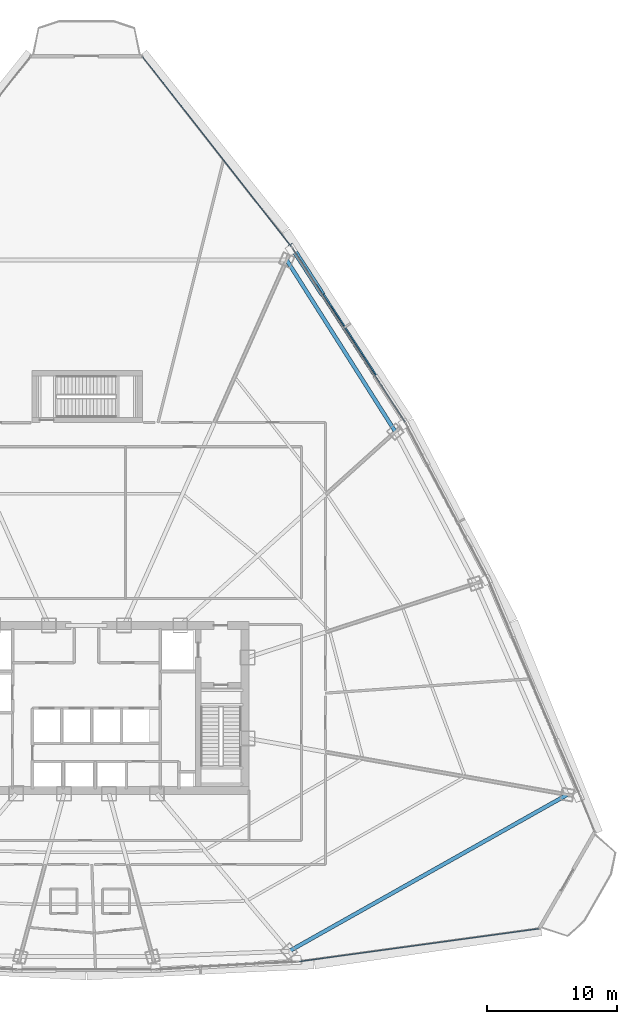
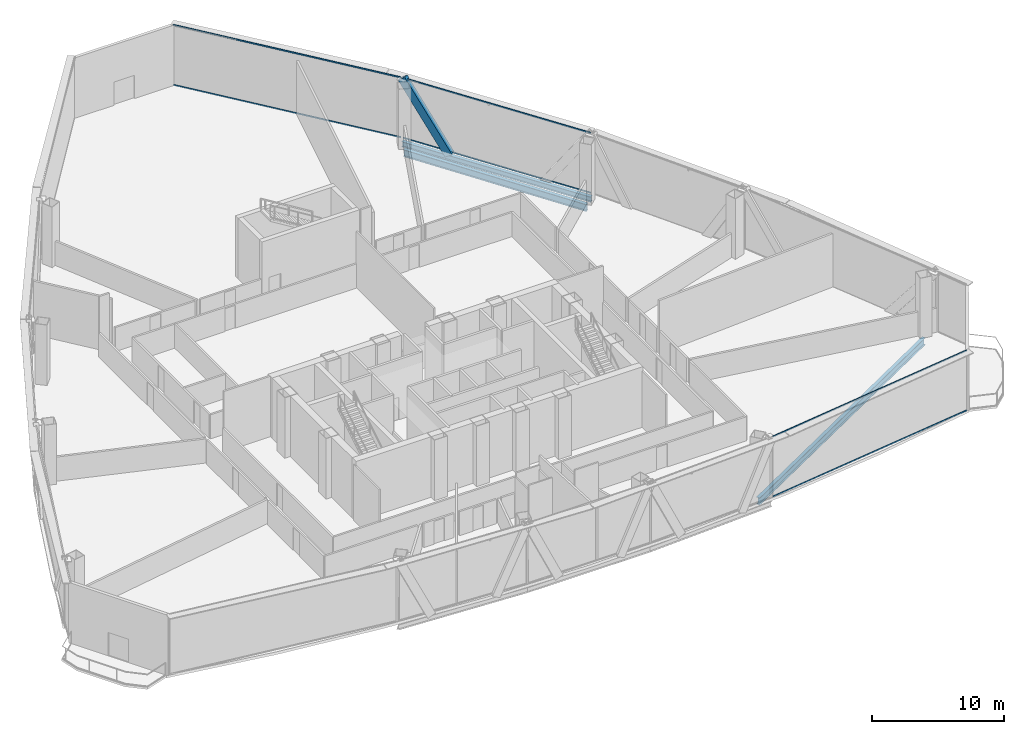
# One storey, part 23 of 40: 7 members, 3 beams, 3 elements without a shape of their own.
"""IFC4 building model written with IfcOpenShell, lengths in metres."""

import ifcopenshell
import ifcopenshell.guid

model = None  # the IFC model being written
_history = None  # IfcOwnerHistory: only IFC2X3 demands one
_inside = {}  # id of a spatial element -> (the spatial element, [elements in it])
_under = {}  # id of a project, library or spatial element -> (it, [spatial elements below it])
_declared = {}  # id of a project -> (the project, [libraries it declares])
_typed = {}  # id of a type object -> (the type object, [elements of that type])
_made_of = {}  # id of a material, layer set ... -> (it, [elements and type objects made of it])


def new_model(schema):
    """Start an empty IFC model of exactly this schema.

    Asked for "IFC4X3", IfcOpenShell would pick the latest addendum, in which some entities
    have other attributes; the version numbers below select the first issue.
    IFC2X3 requires an IfcOwnerHistory on every rooted entity: one is made here for all.
    """
    global model, _history
    if schema == "IFC4X3":
        model = ifcopenshell.file(schema_version=(4, 3, 0, 0))
    else:
        model = ifcopenshell.file(schema=schema)
    _inside.clear()
    _under.clear()
    _declared.clear()
    _typed.clear()
    _made_of.clear()
    _history = None
    if model.schema == "IFC2X3":
        org = make("IfcOrganization", Name="unknown")
        user = make(
            "IfcPersonAndOrganization",
            ThePerson=make("IfcPerson", FamilyName="unknown"),
            TheOrganization=org,
        )
        app = make(
            "IfcApplication",
            ApplicationDeveloper=org,
            Version="unknown",
            ApplicationFullName="unknown",
            ApplicationIdentifier="unknown",
        )
        _history = make(
            "IfcOwnerHistory",
            OwningUser=user,
            OwningApplication=app,
            ChangeAction="ADDED",
            CreationDate=0,
        )
    return model


def make(cls, **values):
    """One entity of the class cls with the attributes given. An attribute that is None is left unset."""
    return model.create_entity(
        cls, **{name: value for name, value in values.items() if value is not None}
    )


def rooted(cls, **values):
    """An entity with a GlobalId (a new one), such as an element, a storey or a relation."""
    return make(cls, GlobalId=ifcopenshell.guid.new(), OwnerHistory=_history, **values)


def si_unit(unit_type, name, prefix=None):
    """IfcSIUnit, for example si_unit("LENGTHUNIT", "METRE", prefix="MILLI")."""
    return make("IfcSIUnit", UnitType=unit_type, Prefix=prefix, Name=name)


def assignment(units):
    """IfcUnitAssignment: the units of a project."""
    return None if units is None else make("IfcUnitAssignment", Units=units)


def point(xyz):
    """IfcCartesianPoint."""
    return None if xyz is None else make("IfcCartesianPoint", Coordinates=xyz)


def direction(xyz):
    """IfcDirection."""
    return None if xyz is None else make("IfcDirection", DirectionRatios=xyz)


def frame(location, z_axis=None, x_axis=None):
    """IfcAxis2Placement3D, a coordinate frame: its origin and axes. An axis left out is left unset."""
    return make(
        "IfcAxis2Placement3D",
        Location=point(location),
        Axis=direction(z_axis),
        RefDirection=direction(x_axis),
    )


def frame_2d(location, x_axis=None):
    """IfcAxis2Placement2D, a coordinate frame in the plane: its origin and x axis."""
    return make(
        "IfcAxis2Placement2D", Location=point(location), RefDirection=direction(x_axis)
    )


def origin():
    """The frame at (0, 0, 0) with its axes left unset."""
    return frame((0.0, 0.0, 0.0))


def origin_2d():
    """The frame at (0, 0) in the plane with its x axis left unset."""
    return frame_2d((0.0, 0.0))


def place(relative_to, where):
    """IfcLocalPlacement: puts the frame where relative to a parent placement (None: the world)."""
    return make(
        "IfcLocalPlacement", PlacementRelTo=relative_to, RelativePlacement=where
    )


def context(
    kind, dimensions, precision=None, world=None, true_north=None, identifier=None
):
    """IfcGeometricRepresentationContext, for example the 3D "Model" context."""
    return make(
        "IfcGeometricRepresentationContext",
        ContextIdentifier=identifier,
        ContextType=kind,
        CoordinateSpaceDimension=dimensions,
        Precision=precision,
        WorldCoordinateSystem=world,
        TrueNorth=true_north,
    )


def subcontext(parent, identifier, kind, view, scale=None):
    """IfcGeometricRepresentationSubContext, for example "Body" below "Model"."""
    return make(
        "IfcGeometricRepresentationSubContext",
        ContextIdentifier=identifier,
        ContextType=kind,
        ParentContext=parent,
        TargetScale=scale,
        TargetView=view,
    )


def project(units=None, contexts=None):
    """IfcProject with its units and contexts."""
    return rooted(
        "IfcProject",
        Name="project",
        RepresentationContexts=contexts,
        UnitsInContext=assignment(units),
    )


def spatial(cls, under=None, at=None, **own):
    """A site, building, storey or space (cls), placed at a placement, below another one or the project."""
    s = rooted(cls, ObjectPlacement=at, **own)
    if under is not None:
        _under.setdefault(under.id(), (under, []))[1].append(s)
    return s


def profile(cls, at=None, kind="AREA", **sizes):
    """A parametric profile (cls). Its sizes go by their IFC names, for example OverallWidth=200.0."""
    return make(cls, ProfileType=kind, Position=at, **sizes)


def hollow_rectangle(**sizes):
    """IfcRectangleHollowProfileDef."""
    return profile("IfcRectangleHollowProfileDef", **sizes)


def i_section(**sizes):
    """IfcIShapeProfileDef."""
    return profile("IfcIShapeProfileDef", **sizes)


def extrude(swept, where, along, depth):
    """IfcExtrudedAreaSolid: the profile swept, set in the frame where, extruded along a direction by depth."""
    return make(
        "IfcExtrudedAreaSolid",
        SweptArea=swept,
        Position=where,
        ExtrudedDirection=direction(along),
        Depth=depth,
    )


def shape(context_of_items, identifier, shape_type, items):
    """IfcShapeRepresentation: the items that make up one representation, for example the "Body"."""
    return make(
        "IfcShapeRepresentation",
        ContextOfItems=context_of_items,
        RepresentationIdentifier=identifier,
        RepresentationType=shape_type,
        Items=items,
    )


def source(mapping_origin, context_of_items, identifier, shape_type, items):
    """IfcRepresentationMap: a shape defined once, which mapped items show again and again."""
    return make(
        "IfcRepresentationMap",
        MappingOrigin=mapping_origin,
        MappedRepresentation=shape(context_of_items, identifier, shape_type, items),
    )


def transform(
    local_origin,
    x_axis=None,
    y_axis=None,
    z_axis=None,
    scale=None,
    scale2=None,
    scale3=None,
    uniform=True,
):
    """IfcCartesianTransformationOperator3D, or its non-uniform kind. x_axis, y_axis, z_axis: its Axis1, 2, 3."""
    if uniform:
        return make(
            "IfcCartesianTransformationOperator3D",
            Axis1=direction(x_axis),
            Axis2=direction(y_axis),
            LocalOrigin=point(local_origin),
            Scale=scale,
            Axis3=direction(z_axis),
        )
    return make(
        "IfcCartesianTransformationOperator3DnonUniform",
        Axis1=direction(x_axis),
        Axis2=direction(y_axis),
        LocalOrigin=point(local_origin),
        Scale=scale,
        Axis3=direction(z_axis),
        Scale2=scale2,
        Scale3=scale3,
    )


def mapped(mapping_source, mapping_target):
    """IfcMappedItem: shows the shape of a source again, moved by a transform."""
    return make(
        "IfcMappedItem", MappingSource=mapping_source, MappingTarget=mapping_target
    )


def material(Name=None, Category=None):
    """IfcMaterial."""
    return make("IfcMaterial", Name=Name, Category=Category)


def layer(
    of_material, thickness, ventilated=None, Name=None, Category=None, Priority=None
):
    """IfcMaterialLayer: one layer of a wall or slab, of a material (None: an air gap)."""
    return make(
        "IfcMaterialLayer",
        Material=of_material,
        LayerThickness=thickness,
        IsVentilated=ventilated,
        Name=Name,
        Category=Category,
        Priority=Priority,
    )


def layer_set(layers, Name=None):
    """IfcMaterialLayerSet."""
    return make("IfcMaterialLayerSet", MaterialLayers=layers, LayerSetName=Name)


def material_profile(
    of_material, cross_section, Name=None, Category=None, Priority=None
):
    """IfcMaterialProfile: a cross section and its material."""
    return make(
        "IfcMaterialProfile",
        Name=Name,
        Material=of_material,
        Profile=cross_section,
        Priority=Priority,
        Category=Category,
    )


def profile_set(profiles, Name=None, composite=None):
    """IfcMaterialProfileSet."""
    return make(
        "IfcMaterialProfileSet",
        Name=Name,
        MaterialProfiles=profiles,
        CompositeProfile=composite,
    )


def made_of(thing, what):
    """Note that an element or type object is made of a material, layer set ...; save() writes the relation."""
    if what is not None:
        _made_of.setdefault(what.id(), (what, []))[1].append(thing)
    return thing


def type_object(cls, material=None, **own):
    """A type object (cls), such as IfcWallType, which elements share."""
    return made_of(rooted(cls, **own), material)


def element(
    cls,
    number,
    at=None,
    inside=None,
    cuts=None,
    type_object=None,
    material=None,
    context=None,
    identifier="Body",
    shape_type=None,
    held_by="IfcProductDefinitionShape",
    body=None,
    shapes=None,
    **own,
):
    """One element of the class cls, such as IfcWall. Its Tag is "e" and its number.

    at: its placement. inside: the storey or other place that contains it. cuts: it is an
    opening in that element (IfcRelVoidsElement). A single representation is given by context,
    identifier, shape_type and body (its items); several are given by shapes. held_by: the class
    of the entity that holds the representations. save() writes the other relations.
    """
    e = rooted(cls, Tag="e%d" % number, ObjectPlacement=at, **own)
    if body is not None:
        shapes = [shape(context, identifier, shape_type, body)]
    if shapes is not None:
        e.Representation = make(held_by, Representations=shapes)
    if inside is not None:
        _inside.setdefault(inside.id(), (inside, []))[1].append(e)
    if cuts is not None:
        rooted(
            "IfcRelVoidsElement", RelatingBuildingElement=cuts, RelatedOpeningElement=e
        )
    if type_object is not None:
        _typed.setdefault(type_object.id(), (type_object, []))[1].append(e)
    return made_of(e, material)


def aggregate(whole, parts):
    """IfcRelAggregates: a whole, such as a stair, and the parts it consists of."""
    return rooted("IfcRelAggregates", RelatingObject=whole, RelatedObjects=parts)


def save(model, path):
    """Write the relations noted so far, then the file.

    IfcRelAggregates (storeys below a building ...), IfcRelContainedInSpatialStructure (elements
    in a storey), IfcRelDefinesByType, IfcRelAssociatesMaterial and IfcRelDeclares: one each for
    every whole, place, type object, material and project.
    """
    for whole, parts in _under.values():
        aggregate(whole, parts)
    for where, things in _inside.values():
        rooted(
            "IfcRelContainedInSpatialStructure",
            RelatedElements=things,
            RelatingStructure=where,
        )
    for kind, things in _typed.values():
        rooted("IfcRelDefinesByType", RelatedObjects=things, RelatingType=kind)
    for what, things in _made_of.values():
        rooted("IfcRelAssociatesMaterial", RelatedObjects=things, RelatingMaterial=what)
    for by, libraries in _declared.values():
        rooted("IfcRelDeclares", RelatingContext=by, RelatedDefinitions=libraries)
    model.write(path)


model = new_model("IFC4")

# Units and contexts
model_context = context("Model", 3, precision=1e-05, world=origin(), true_north=direction((0.0, 1.0)))
body_context = subcontext(model_context, "Body", "Model", "MODEL_VIEW")
ifc_project = project(units=[si_unit("LENGTHUNIT", "METRE"), si_unit("AREAUNIT", "SQUARE_METRE"), si_unit("VOLUMEUNIT", "CUBIC_METRE"), si_unit("PLANEANGLEUNIT", "RADIAN"), si_unit("MASSUNIT", "GRAM", prefix="KILO"), si_unit("THERMODYNAMICTEMPERATUREUNIT", "KELVIN"), si_unit("POWERUNIT", "WATT")], contexts=[model_context])

# Site, building, storey
site_placement = place(None, origin())
site = spatial("IfcSite", under=ifc_project, at=site_placement, CompositionType="ELEMENT")
building_placement = place(site_placement, origin())
building = spatial("IfcBuilding", under=site, at=building_placement, Name="Yunzhuo Pagoda Commons", CompositionType="ELEMENT")
storey_placement = place(building_placement, frame((0.0, 0.0, 170.31005859375)))
storey = spatial("IfcBuildingStorey", under=building, at=storey_placement, Name="L43", CompositionType="ELEMENT", Elevation=170.31005859375)

# Beams
ifc_material_1 = material(Name="Structural steel Q355B", Category="steel")
ifc_material_profile_1 = material_profile(ifc_material_1, i_section(OverallWidth=0.300048828125, OverallDepth=0.64990234375, WebThickness=0.012939453125, FlangeThickness=0.02197265625, at=origin_2d()), Name="Structural steel Q355B")
ifc_profile_set_1 = profile_set([ifc_material_profile_1], Name="Structural steel Q355B")
beam_type_1 = type_object("IfcBeamType", Name="B-RG2 Beam HN 650x300x13x22", PredefinedType="BEAM", material=ifc_profile_set_1)
shared_shape_1 = source(origin(), body_context, "Body", "SweptSolid", [
    extrude(i_section(OverallWidth=0.300048828125, OverallDepth=0.64990234375, WebThickness=0.012939453125, FlangeThickness=0.02197265625, at=origin_2d()), origin(), (0.0, 0.0, 1.0), 24.56982421875),
])
beam_1_placement = place(storey_placement, frame((63.585205078125, 15.126220703125, -0.5849609375), z_axis=(0.871469103633, 0.490450406681, 0.0), x_axis=(-0.490450406681, 0.871469103633, 0.0)))
element("IfcBeam", 1, at=beam_1_placement, inside=storey, type_object=beam_type_1, Name="L43 column-ring beam 4", PredefinedType="BEAM", context=body_context, shape_type="MappedRepresentation", body=[
    mapped(shared_shape_1, transform((0.0, 0.0, 0.0), scale=1.0)),
])
shared_shape_2 = source(origin(), body_context, "Body", "SweptSolid", [
    extrude(i_section(OverallWidth=0.300048828125, OverallDepth=0.64990234375, WebThickness=0.012939453125, FlangeThickness=0.02197265625, at=origin_2d()), origin(), (0.0, 0.0, 1.0), 15.627685546875),
])
beam_2_placement = place(storey_placement, frame((71.76611328125, 55.09912109375, -0.5849609375), z_axis=(-0.534952471728, 0.844882153316, 0.0), x_axis=(-0.844882153316, -0.534952471728, 0.0)))
element("IfcBeam", 2, at=beam_2_placement, inside=storey, type_object=beam_type_1, Name="L43 column-ring beam 7", PredefinedType="BEAM", context=body_context, shape_type="MappedRepresentation", body=[
    mapped(shared_shape_2, transform((0.0, 0.0, 0.0), scale=1.0)),
])
ifc_material_profile_2 = material_profile(ifc_material_1, i_section(OverallWidth=0.300048828125, OverallDepth=0.488037109375, WebThickness=0.010986328125, FlangeThickness=0.01806640625, at=origin_2d()), Name="Structural steel Q355B")
ifc_profile_set_2 = profile_set([ifc_material_profile_2], Name="Structural steel Q355B")
beam_type_2 = type_object("IfcBeamType", Name="B-SP1 Beam HM 488x300x11x18", PredefinedType="BEAM", material=ifc_profile_set_2)
shared_shape_3 = source(origin(), body_context, "Body", "SweptSolid", [
    extrude(i_section(OverallWidth=0.300048828125, OverallDepth=0.488037109375, WebThickness=0.010986328125, FlangeThickness=0.01806640625, at=origin_2d()), origin(), (0.0, 0.0, 1.0), 16.0341796875),
])
beam_3_placement = place(storey_placement, frame((72.54638671875, 55.8017578125, -0.504150390625), z_axis=(-0.543409101482, 0.83946801513, 0.0), x_axis=(-0.83946801513, -0.543409101482, 0.0)))
element("IfcBeam", 3, at=beam_3_placement, inside=storey, type_object=beam_type_2, Name="L43 facade edge spandrel beam F2.3", PredefinedType="BEAM", context=body_context, shape_type="MappedRepresentation", body=[
    mapped(shared_shape_3, transform((0.0, 0.0, 0.0), scale=1.0)),
])

# Member
ifc_material_profile_3 = material_profile(ifc_material_1, hollow_rectangle(XDim=0.39990234375, YDim=0.719970703125, WallThickness=0.02392578125, at=origin_2d()), Name="Structural steel Q355B")
ifc_profile_set_3 = profile_set([ifc_material_profile_3], Name="Structural steel Q355B")
member_type_1 = type_object("IfcMemberType", Name="M-DL2 Brace BOX 720x400x24", PredefinedType="BRACE", material=ifc_profile_set_3)
shared_shape_4 = source(origin(), body_context, "Body", "SweptSolid", [
    extrude(hollow_rectangle(XDim=0.39990234375, YDim=0.719970703125, WallThickness=0.02392578125, at=origin_2d()), origin(), (0.0, 0.0, 1.0), 7.074951171875),
])
member_1_placement = place(storey_placement, frame((66.011474609375, 65.89697265625, -0.260009765625), z_axis=(-0.30787860019, 0.475621020669, 0.824011779189), x_axis=(-0.839470464787, -0.54340531719, 0.0)))
element("IfcMember", 4, at=member_1_placement, inside=storey, type_object=member_type_1, Name="L43 facade diamond brace F2.3R", PredefinedType="BRACE", context=body_context, shape_type="MappedRepresentation", body=[
    mapped(shared_shape_4, transform((0.0, 0.0, 0.0), scale=1.0)),
])

# Curtain wall, members
ifc_material_2 = material(Name="Anodized aluminium 6063-T6", Category="aluminium")
ifc_layer = layer(ifc_material_2, 0.14990234375)
ifc_layer_set = layer_set([ifc_layer], Name="Anodized aluminium 6063-T6")
curtain_wall_type = type_object("IfcCurtainWallType", Name="CW-MID Mid-Zone Ribbon Curtain Wall", PredefinedType="NOTDEFINED", material=ifc_layer_set)
curtain_wall_1_placement = place(storey_placement, origin())
curtain_wall_1 = element("IfcCurtainWall", 5, at=curtain_wall_1_placement, inside=storey, type_object=curtain_wall_type, Name="L43 curtain wall CW-L43-F1B5", PredefinedType="NOTDEFINED")
ifc_material_profile_4 = material_profile(ifc_material_2, hollow_rectangle(XDim=0.054931640625, YDim=0.1298828125, WallThickness=0.00341796875, at=origin_2d()), Name="Anodized aluminium 6063-T6")
ifc_profile_set_4 = profile_set([ifc_material_profile_4], Name="Anodized aluminium 6063-T6")
member_type_2 = type_object("IfcMemberType", Name="CW-MID-T Transom RHS 130x55x3.5", PredefinedType="USERDEFINED", material=ifc_profile_set_4)
shared_shape_5 = source(origin(), body_context, "Body", "SweptSolid", [
    extrude(hollow_rectangle(XDim=0.054931640625, YDim=0.1298828125, WallThickness=0.00341796875, at=origin_2d()), origin(), (0.0, 0.0, 1.0), 18.559814453125),
])
member_2_placement = place(storey_placement, frame((64.393798828125, 14.34033203125, 0.02734375), z_axis=(0.990741021936, 0.135765339663, 0.0), x_axis=(-0.135765339663, 0.990741021936, 0.0)))
member_2 = element("IfcMember", 6, at=member_2_placement, type_object=member_type_2, Name="CW transom 1.1", ObjectType="TRANSOM", PredefinedType="USERDEFINED", context=body_context, shape_type="MappedRepresentation", body=[
    mapped(shared_shape_5, transform((0.0, 0.0, 0.0), scale=1.0)),
])
member_3_placement = place(storey_placement, frame((64.393798828125, 14.34033203125, 5.54248046875), z_axis=(0.990741021936, 0.135765339663, 0.0), x_axis=(-0.135765339663, 0.990741021936, 0.0)))
member_3 = element("IfcMember", 7, at=member_3_placement, type_object=member_type_2, Name="CW transom 1.2", ObjectType="TRANSOM", PredefinedType="USERDEFINED", context=body_context, shape_type="MappedRepresentation", body=[
    mapped(shared_shape_5, transform((0.0, 0.0, 0.0), scale=1.0)),
])
aggregate(curtain_wall_1, [member_2, member_3])

curtain_wall_2_placement = place(storey_placement, origin())
curtain_wall_2 = element("IfcCurtainWall", 8, at=curtain_wall_2_placement, inside=storey, type_object=curtain_wall_type, Name="L43 curtain wall CW-L43-F2B4", PredefinedType="NOTDEFINED")
shared_shape_6 = source(origin(), body_context, "Body", "SweptSolid", [
    extrude(hollow_rectangle(XDim=0.054931640625, YDim=0.1298828125, WallThickness=0.00341796875, at=origin_2d()), origin(), (0.0, 0.0, 1.0), 15.914306640625),
])
member_4_placement = place(storey_placement, frame((72.513916015625, 55.85205078125, 0.02734375), z_axis=(-0.543423646974, 0.839458599283, 0.0), x_axis=(-0.839458599283, -0.543423646974, 0.0)))
member_4 = element("IfcMember", 9, at=member_4_placement, type_object=member_type_2, Name="CW transom 1.1", ObjectType="TRANSOM", PredefinedType="USERDEFINED", context=body_context, shape_type="MappedRepresentation", body=[
    mapped(shared_shape_6, transform((0.0, 0.0, 0.0), scale=1.0)),
])
member_5_placement = place(storey_placement, frame((72.513916015625, 55.85205078125, 5.54248046875), z_axis=(-0.543423646974, 0.839458599283, 0.0), x_axis=(-0.839458599283, -0.543423646974, 0.0)))
member_5 = element("IfcMember", 10, at=member_5_placement, type_object=member_type_2, Name="CW transom 1.2", ObjectType="TRANSOM", PredefinedType="USERDEFINED", context=body_context, shape_type="MappedRepresentation", body=[
    mapped(shared_shape_6, transform((0.0, 0.0, 0.0), scale=1.0)),
])
aggregate(curtain_wall_2, [member_4, member_5])

curtain_wall_3_placement = place(storey_placement, origin())
curtain_wall_3 = element("IfcCurtainWall", 11, at=curtain_wall_3_placement, inside=storey, type_object=curtain_wall_type, Name="L43 curtain wall CW-L43-F2B5", PredefinedType="NOTDEFINED")
shared_shape_7 = source(origin(), body_context, "Body", "SweptSolid", [
    extrude(hollow_rectangle(XDim=0.054931640625, YDim=0.1298828125, WallThickness=0.00341796875, at=origin_2d()), origin(), (0.0, 0.0, 1.0), 18.532470703125),
])
member_6_placement = place(storey_placement, frame((63.749755859375, 69.3681640625, 0.02734375), z_axis=(-0.617131299071, 0.786860190699, 0.0), x_axis=(-0.786860190699, -0.617131299071, 0.0)))
member_6 = element("IfcMember", 12, at=member_6_placement, type_object=member_type_2, Name="CW transom 1.1", ObjectType="TRANSOM", PredefinedType="USERDEFINED", context=body_context, shape_type="MappedRepresentation", body=[
    mapped(shared_shape_7, transform((0.0, 0.0, 0.0), scale=1.0)),
])
member_7_placement = place(storey_placement, frame((63.749755859375, 69.3681640625, 5.54248046875), z_axis=(-0.617131299071, 0.786860190699, 0.0), x_axis=(-0.786860190699, -0.617131299071, 0.0)))
member_7 = element("IfcMember", 13, at=member_7_placement, type_object=member_type_2, Name="CW transom 1.2", ObjectType="TRANSOM", PredefinedType="USERDEFINED", context=body_context, shape_type="MappedRepresentation", body=[
    mapped(shared_shape_7, transform((0.0, 0.0, 0.0), scale=1.0)),
])
aggregate(curtain_wall_3, [member_6, member_7])

save(model, "model.ifc")
